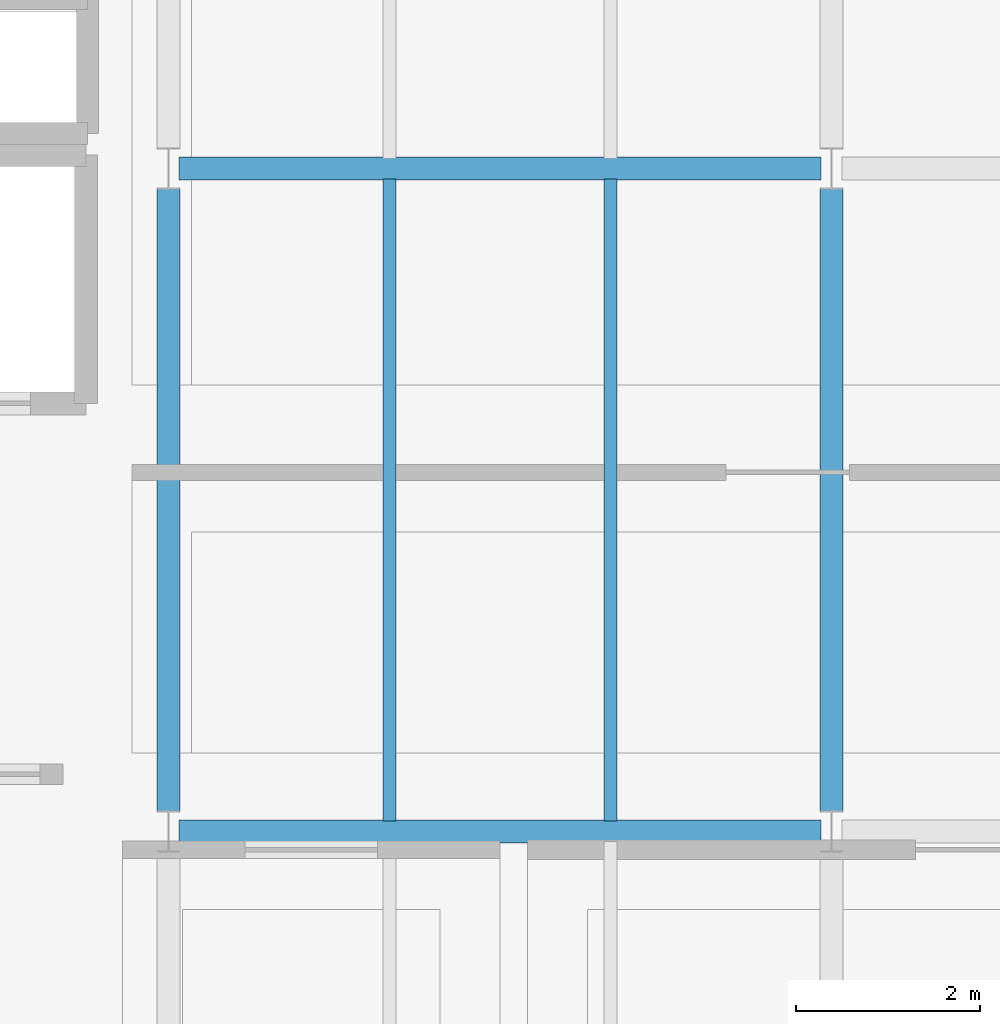
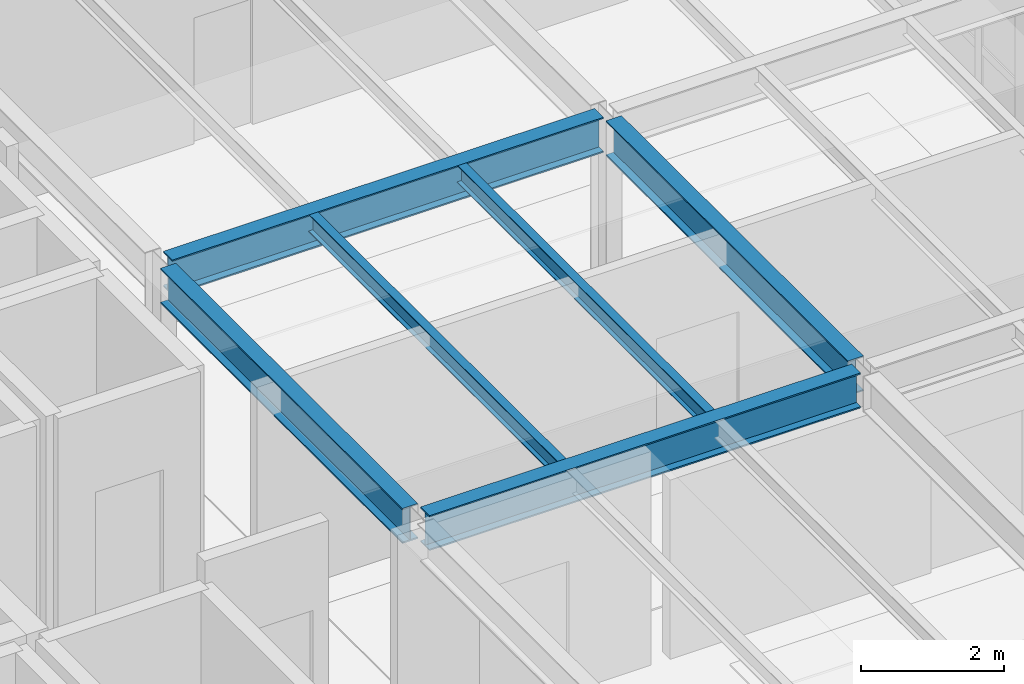
# One storey, part 7 of 24: 6 beams.
"""IFC4 building model written with IfcOpenShell, lengths in metres."""

from ifc_helpers import new_model, si_unit, direction, frame, origin, origin_2d, place, context, subcontext, project, spatial, i_section, extrude, material, material_profile, profile_set, type_object, element, save


model = new_model("IFC4")

# Units and contexts
model_context = context("Model", 3, precision=1e-05, world=origin(), true_north=direction((0.0, 1.0)))
body_context = subcontext(model_context, "Body", "Model", "MODEL_VIEW")
ifc_project = project(units=[si_unit("LENGTHUNIT", "METRE"), si_unit("AREAUNIT", "SQUARE_METRE"), si_unit("VOLUMEUNIT", "CUBIC_METRE"), si_unit("PLANEANGLEUNIT", "RADIAN"), si_unit("MASSUNIT", "GRAM", prefix="KILO")], contexts=[model_context])

# Site, building, storey
site_placement = place(None, origin())
site = spatial("IfcSite", under=ifc_project, at=site_placement, CompositionType="ELEMENT")
building_placement = place(site_placement, origin())
building = spatial("IfcBuilding", under=site, at=building_placement, Name="Kandorven Conservatory and Botanical Research Centre", CompositionType="ELEMENT")
storey_placement = place(building_placement, frame((0.0, 0.0, 21.0)))
storey = spatial("IfcBuildingStorey", under=building, at=storey_placement, Name="L05", CompositionType="ELEMENT", Elevation=21.0)

# Beams
ifc_material_1 = material(Name="Steel S355 (IS 2062 E350)", Category="steel")
ifc_material_profile_1 = material_profile(ifc_material_1, i_section(OverallWidth=0.25, OverallDepth=0.60009765625, WebThickness=0.01171875, FlangeThickness=0.023681640625, at=origin_2d()))
ifc_profile_set_1 = profile_set([ifc_material_profile_1], Name="Steel S355 (IS 2062 E350)")
beam_type_1 = type_object("IfcBeamType", Name="Beam_FG-01", PredefinedType="USERDEFINED", material=ifc_profile_set_1)
for number, where, z_axis, x_axis, name in (
    (1, (27.715087890625, 13.199951171875, 3.3701171875), (1.0, 0.0, 0.0), (0.0, 1.0, 0.0), "Primary girder FG-01 TWR L05"),
    (2, (27.715087890625, 20.39990234375, 3.3701171875), (1.0, 0.0, 0.0), (0.0, 1.0, 0.0), "Primary girder FG-01 TWR L05"),
):
    element("IfcBeam", number, at=place(storey_placement, frame(where, z_axis=z_axis, x_axis=x_axis)), inside=storey, type_object=beam_type_1, Name=name, ObjectType="GIRDER", PredefinedType="USERDEFINED", context=body_context, shape_type="SweptSolid", body=[
        extrude(i_section(OverallWidth=0.25, OverallDepth=0.60009765625, WebThickness=0.01171875, FlangeThickness=0.023681640625, at=origin_2d()), origin(), (0.0, 0.0, 1.0), 6.969970703125),
    ])
for number, where, z_axis, x_axis, name in (
    (3, (27.60009765625, 13.4150390625, 3.3701171875), (0.0, 1.0, 0.0), (-1.0, 0.0, 0.0), "Primary girder FG-01 TWR L05"),
    (4, (34.800048828125, 13.4150390625, 3.3701171875), (0.0, 1.0, 0.0), (-1.0, 0.0, 0.0), "Primary girder FG-01 TWR L05"),
):
    element("IfcBeam", number, at=place(storey_placement, frame(where, z_axis=z_axis, x_axis=x_axis)), inside=storey, type_object=beam_type_1, Name=name, ObjectType="GIRDER", PredefinedType="USERDEFINED", context=body_context, shape_type="SweptSolid", body=[
        extrude(i_section(OverallWidth=0.25, OverallDepth=0.60009765625, WebThickness=0.01171875, FlangeThickness=0.023681640625, at=origin_2d()), origin(), (0.0, 0.0, 1.0), 6.77001953125),
    ])
ifc_material_2 = material(Name="Steel S355 (IS 2062 E350)", Category="steel")
ifc_material_profile_2 = material_profile(ifc_material_2, i_section(OverallWidth=0.139892578125, OverallDepth=0.300048828125, WebThickness=0.0078125, FlangeThickness=0.01318359375, at=origin_2d()))
ifc_profile_set_2 = profile_set([ifc_material_profile_2], Name="Steel S355 (IS 2062 E350)")
beam_type_2 = type_object("IfcBeamType", Name="Beam_SB-07", PredefinedType="BEAM", material=ifc_profile_set_2)
for number, where, z_axis, x_axis, name in (
    (5, (30.0, 13.31005859375, 3.52001953125), (0.0, 1.0, 0.0), (-1.0, 0.0, 0.0), "Composite secondary beam SB-07 TWR L05"),
    (6, (32.39990234375, 13.31005859375, 3.52001953125), (0.0, 1.0, 0.0), (-1.0, 0.0, 0.0), "Composite secondary beam SB-07 TWR L05"),
):
    element("IfcBeam", number, at=place(storey_placement, frame(where, z_axis=z_axis, x_axis=x_axis)), inside=storey, type_object=beam_type_2, Name=name, PredefinedType="BEAM", context=body_context, shape_type="SweptSolid", body=[
        extrude(i_section(OverallWidth=0.139892578125, OverallDepth=0.300048828125, WebThickness=0.0078125, FlangeThickness=0.01318359375, at=origin_2d()), origin(), (0.0, 0.0, 1.0), 6.97998046875),
    ])

save(model, "model.ifc")
